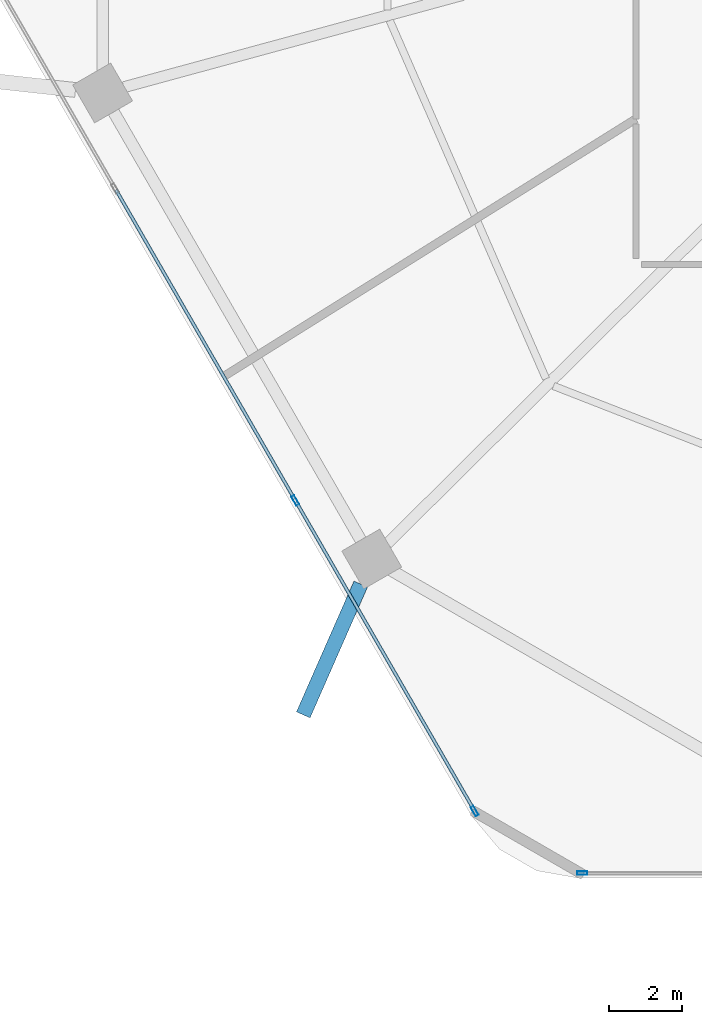
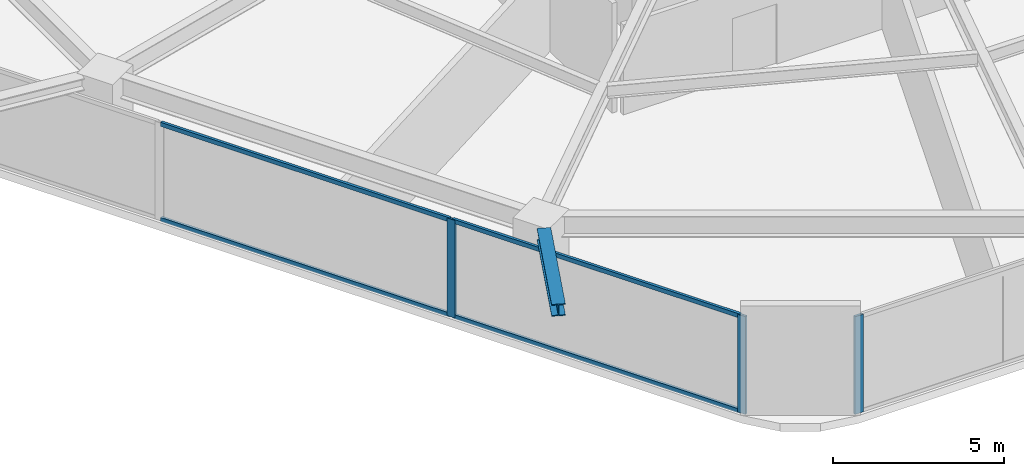
# One storey, part 2 of 25: 7 members, 1 beam, 2 elements without a shape of their own.
"""IFC4 building model written with IfcOpenShell, lengths in metres."""

import ifcopenshell
import ifcopenshell.guid

model = None  # the IFC model being written
_history = None  # IfcOwnerHistory: only IFC2X3 demands one
_inside = {}  # id of a spatial element -> (the spatial element, [elements in it])
_under = {}  # id of a project, library or spatial element -> (it, [spatial elements below it])
_declared = {}  # id of a project -> (the project, [libraries it declares])
_typed = {}  # id of a type object -> (the type object, [elements of that type])
_made_of = {}  # id of a material, layer set ... -> (it, [elements and type objects made of it])


def new_model(schema):
    """Start an empty IFC model of exactly this schema.

    Asked for "IFC4X3", IfcOpenShell would pick the latest addendum, in which some entities
    have other attributes; the version numbers below select the first issue.
    IFC2X3 requires an IfcOwnerHistory on every rooted entity: one is made here for all.
    """
    global model, _history
    if schema == "IFC4X3":
        model = ifcopenshell.file(schema_version=(4, 3, 0, 0))
    else:
        model = ifcopenshell.file(schema=schema)
    _inside.clear()
    _under.clear()
    _declared.clear()
    _typed.clear()
    _made_of.clear()
    _history = None
    if model.schema == "IFC2X3":
        org = make("IfcOrganization", Name="unknown")
        user = make(
            "IfcPersonAndOrganization",
            ThePerson=make("IfcPerson", FamilyName="unknown"),
            TheOrganization=org,
        )
        app = make(
            "IfcApplication",
            ApplicationDeveloper=org,
            Version="unknown",
            ApplicationFullName="unknown",
            ApplicationIdentifier="unknown",
        )
        _history = make(
            "IfcOwnerHistory",
            OwningUser=user,
            OwningApplication=app,
            ChangeAction="ADDED",
            CreationDate=0,
        )
    return model


def make(cls, **values):
    """One entity of the class cls with the attributes given. An attribute that is None is left unset."""
    return model.create_entity(
        cls, **{name: value for name, value in values.items() if value is not None}
    )


def rooted(cls, **values):
    """An entity with a GlobalId (a new one), such as an element, a storey or a relation."""
    return make(cls, GlobalId=ifcopenshell.guid.new(), OwnerHistory=_history, **values)


def si_unit(unit_type, name, prefix=None):
    """IfcSIUnit, for example si_unit("LENGTHUNIT", "METRE", prefix="MILLI")."""
    return make("IfcSIUnit", UnitType=unit_type, Prefix=prefix, Name=name)


def assignment(units):
    """IfcUnitAssignment: the units of a project."""
    return None if units is None else make("IfcUnitAssignment", Units=units)


def point(xyz):
    """IfcCartesianPoint."""
    return None if xyz is None else make("IfcCartesianPoint", Coordinates=xyz)


def direction(xyz):
    """IfcDirection."""
    return None if xyz is None else make("IfcDirection", DirectionRatios=xyz)


def frame(location, z_axis=None, x_axis=None):
    """IfcAxis2Placement3D, a coordinate frame: its origin and axes. An axis left out is left unset."""
    return make(
        "IfcAxis2Placement3D",
        Location=point(location),
        Axis=direction(z_axis),
        RefDirection=direction(x_axis),
    )


def frame_2d(location, x_axis=None):
    """IfcAxis2Placement2D, a coordinate frame in the plane: its origin and x axis."""
    return make(
        "IfcAxis2Placement2D", Location=point(location), RefDirection=direction(x_axis)
    )


def origin():
    """The frame at (0, 0, 0) with its axes left unset."""
    return frame((0.0, 0.0, 0.0))


def origin_2d():
    """The frame at (0, 0) in the plane with its x axis left unset."""
    return frame_2d((0.0, 0.0))


def place(relative_to, where):
    """IfcLocalPlacement: puts the frame where relative to a parent placement (None: the world)."""
    return make(
        "IfcLocalPlacement", PlacementRelTo=relative_to, RelativePlacement=where
    )


def context(
    kind, dimensions, precision=None, world=None, true_north=None, identifier=None
):
    """IfcGeometricRepresentationContext, for example the 3D "Model" context."""
    return make(
        "IfcGeometricRepresentationContext",
        ContextIdentifier=identifier,
        ContextType=kind,
        CoordinateSpaceDimension=dimensions,
        Precision=precision,
        WorldCoordinateSystem=world,
        TrueNorth=true_north,
    )


def subcontext(parent, identifier, kind, view, scale=None):
    """IfcGeometricRepresentationSubContext, for example "Body" below "Model"."""
    return make(
        "IfcGeometricRepresentationSubContext",
        ContextIdentifier=identifier,
        ContextType=kind,
        ParentContext=parent,
        TargetScale=scale,
        TargetView=view,
    )


def project(units=None, contexts=None):
    """IfcProject with its units and contexts."""
    return rooted(
        "IfcProject",
        Name="project",
        RepresentationContexts=contexts,
        UnitsInContext=assignment(units),
    )


def spatial(cls, under=None, at=None, **own):
    """A site, building, storey or space (cls), placed at a placement, below another one or the project."""
    s = rooted(cls, ObjectPlacement=at, **own)
    if under is not None:
        _under.setdefault(under.id(), (under, []))[1].append(s)
    return s


def profile(cls, at=None, kind="AREA", **sizes):
    """A parametric profile (cls). Its sizes go by their IFC names, for example OverallWidth=200.0."""
    return make(cls, ProfileType=kind, Position=at, **sizes)


def hollow_rectangle(**sizes):
    """IfcRectangleHollowProfileDef."""
    return profile("IfcRectangleHollowProfileDef", **sizes)


def i_section(**sizes):
    """IfcIShapeProfileDef."""
    return profile("IfcIShapeProfileDef", **sizes)


def extrude(swept, where, along, depth):
    """IfcExtrudedAreaSolid: the profile swept, set in the frame where, extruded along a direction by depth."""
    return make(
        "IfcExtrudedAreaSolid",
        SweptArea=swept,
        Position=where,
        ExtrudedDirection=direction(along),
        Depth=depth,
    )


def shape(context_of_items, identifier, shape_type, items):
    """IfcShapeRepresentation: the items that make up one representation, for example the "Body"."""
    return make(
        "IfcShapeRepresentation",
        ContextOfItems=context_of_items,
        RepresentationIdentifier=identifier,
        RepresentationType=shape_type,
        Items=items,
    )


def material(Name=None, Category=None):
    """IfcMaterial."""
    return make("IfcMaterial", Name=Name, Category=Category)


def material_profile(
    of_material, cross_section, Name=None, Category=None, Priority=None
):
    """IfcMaterialProfile: a cross section and its material."""
    return make(
        "IfcMaterialProfile",
        Name=Name,
        Material=of_material,
        Profile=cross_section,
        Priority=Priority,
        Category=Category,
    )


def profile_set(profiles, Name=None, composite=None):
    """IfcMaterialProfileSet."""
    return make(
        "IfcMaterialProfileSet",
        Name=Name,
        MaterialProfiles=profiles,
        CompositeProfile=composite,
    )


def made_of(thing, what):
    """Note that an element or type object is made of a material, layer set ...; save() writes the relation."""
    if what is not None:
        _made_of.setdefault(what.id(), (what, []))[1].append(thing)
    return thing


def type_object(cls, material=None, **own):
    """A type object (cls), such as IfcWallType, which elements share."""
    return made_of(rooted(cls, **own), material)


def element(
    cls,
    number,
    at=None,
    inside=None,
    cuts=None,
    type_object=None,
    material=None,
    context=None,
    identifier="Body",
    shape_type=None,
    held_by="IfcProductDefinitionShape",
    body=None,
    shapes=None,
    **own,
):
    """One element of the class cls, such as IfcWall. Its Tag is "e" and its number.

    at: its placement. inside: the storey or other place that contains it. cuts: it is an
    opening in that element (IfcRelVoidsElement). A single representation is given by context,
    identifier, shape_type and body (its items); several are given by shapes. held_by: the class
    of the entity that holds the representations. save() writes the other relations.
    """
    e = rooted(cls, Tag="e%d" % number, ObjectPlacement=at, **own)
    if body is not None:
        shapes = [shape(context, identifier, shape_type, body)]
    if shapes is not None:
        e.Representation = make(held_by, Representations=shapes)
    if inside is not None:
        _inside.setdefault(inside.id(), (inside, []))[1].append(e)
    if cuts is not None:
        rooted(
            "IfcRelVoidsElement", RelatingBuildingElement=cuts, RelatedOpeningElement=e
        )
    if type_object is not None:
        _typed.setdefault(type_object.id(), (type_object, []))[1].append(e)
    return made_of(e, material)


def aggregate(whole, parts):
    """IfcRelAggregates: a whole, such as a stair, and the parts it consists of."""
    return rooted("IfcRelAggregates", RelatingObject=whole, RelatedObjects=parts)


def save(model, path):
    """Write the relations noted so far, then the file.

    IfcRelAggregates (storeys below a building ...), IfcRelContainedInSpatialStructure (elements
    in a storey), IfcRelDefinesByType, IfcRelAssociatesMaterial and IfcRelDeclares: one each for
    every whole, place, type object, material and project.
    """
    for whole, parts in _under.values():
        aggregate(whole, parts)
    for where, things in _inside.values():
        rooted(
            "IfcRelContainedInSpatialStructure",
            RelatedElements=things,
            RelatingStructure=where,
        )
    for kind, things in _typed.values():
        rooted("IfcRelDefinesByType", RelatedObjects=things, RelatingType=kind)
    for what, things in _made_of.values():
        rooted("IfcRelAssociatesMaterial", RelatedObjects=things, RelatingMaterial=what)
    for by, libraries in _declared.values():
        rooted("IfcRelDeclares", RelatingContext=by, RelatedDefinitions=libraries)
    model.write(path)


model = new_model("IFC4")

# Units and contexts
model_context = context("Model", 3, precision=1e-05, world=origin(), true_north=direction((0.0, 1.0)))
body_context = subcontext(model_context, "Body", "Model", "MODEL_VIEW")
ifc_project = project(units=[si_unit("LENGTHUNIT", "METRE"), si_unit("AREAUNIT", "SQUARE_METRE"), si_unit("VOLUMEUNIT", "CUBIC_METRE"), si_unit("PLANEANGLEUNIT", "RADIAN"), si_unit("MASSUNIT", "GRAM", prefix="KILO")], contexts=[model_context])

# Site, building, storey
site_placement = place(None, origin())
site = spatial("IfcSite", under=ifc_project, at=site_placement, CompositionType="ELEMENT")
building_placement = place(site_placement, origin())
building = spatial("IfcBuilding", under=site, at=building_placement, Name="Zuhravey Tower", CompositionType="ELEMENT")
storey_placement = place(building_placement, frame((0.0, 0.0, 20.39990234375)))
storey = spatial("IfcBuildingStorey", under=building, at=storey_placement, Name="L05", CompositionType="ELEMENT", Elevation=20.39990234375)

# Curtain wall, member
ifc_material_1 = material(Name="Thermally broken anodised aluminium", Category="aluminium")
curtain_wall_type = type_object("IfcCurtainWallType", Name="School Low-E Unitised Curtain Wall CW1", PredefinedType="NOTDEFINED", material=ifc_material_1)
curtain_wall_1_placement = place(storey_placement, origin())
curtain_wall_1 = element("IfcCurtainWall", 1, at=curtain_wall_1_placement, inside=storey, type_object=curtain_wall_type, Name="L05 CW1 CW-L05-F5-1", PredefinedType="NOTDEFINED")
ifc_material_2 = material(Name="Anodised aluminium", Category="aluminium")
ifc_material_profile_1 = material_profile(ifc_material_2, hollow_rectangle(XDim=0.090087890625, YDim=0.284912109375, WallThickness=0.0048828125, at=origin_2d()), Name="ALU-RHS-90x285x5")
ifc_profile_set_1 = profile_set([ifc_material_profile_1], Name="Anodised aluminium")
member_type_1 = type_object("IfcMemberType", Name="Curtain-Wall Mullion 90x180", PredefinedType="MULLION", material=ifc_profile_set_1)
member_1_placement = place(storey_placement, frame((21.24560546875, 3.04150390625, 0.0), z_axis=(0.0, 0.0, 1.0), x_axis=(0.0, -1.0, 0.0)))
member_1 = element("IfcMember", 2, at=member_1_placement, type_object=member_type_1, Name="CW1 mullion 4", PredefinedType="MULLION", context=body_context, shape_type="SweptSolid", body=[
    extrude(hollow_rectangle(XDim=0.090087890625, YDim=0.284912109375, WallThickness=0.0048828125, at=origin_2d()), origin(), (0.0, 0.0, 1.0), 3.4921875),
])
aggregate(curtain_wall_1, [member_1])

# Curtain wall, members
curtain_wall_2_placement = place(storey_placement, origin())
curtain_wall_2 = element("IfcCurtainWall", 3, at=curtain_wall_2_placement, inside=storey, type_object=curtain_wall_type, Name="L05 CW1 CW-L05-F4-1", PredefinedType="NOTDEFINED")
member_2_placement = place(storey_placement, frame((18.298583984375, 4.742919921875, 0.0), z_axis=(0.0, 0.0, 1.0), x_axis=(-0.86602552265, -0.499999794119, 0.0)))
member_2 = element("IfcMember", 4, at=member_2_placement, type_object=member_type_1, Name="CW1 mullion 1", PredefinedType="MULLION", context=body_context, shape_type="SweptSolid", body=[
    extrude(hollow_rectangle(XDim=0.090087890625, YDim=0.284912109375, WallThickness=0.0048828125, at=origin_2d()), origin(), (0.0, 0.0, 1.0), 3.4921875),
])
member_3_placement = place(storey_placement, frame((13.387939453125, 13.24853515625, 0.0), z_axis=(0.0, 0.0, 1.0), x_axis=(-0.86602552265, -0.499999794119, 0.0)))
member_3 = element("IfcMember", 5, at=member_3_placement, type_object=member_type_1, Name="CW1 mullion 2", PredefinedType="MULLION", context=body_context, shape_type="SweptSolid", body=[
    extrude(hollow_rectangle(XDim=0.090087890625, YDim=0.284912109375, WallThickness=0.0048828125, at=origin_2d()), origin(), (0.0, 0.0, 1.0), 3.4921875),
])
ifc_material_profile_2 = material_profile(ifc_material_2, hollow_rectangle(XDim=0.090087890625, YDim=0.14990234375, WallThickness=0.0048828125, at=origin_2d()), Name="ALU-RHS-90x150x5")
ifc_profile_set_2 = profile_set([ifc_material_profile_2], Name="Anodised aluminium")
member_type_2 = type_object("IfcMemberType", Name="Curtain-Wall Transom 90x150", PredefinedType="USERDEFINED", material=ifc_profile_set_2)
member_4_placement = place(storey_placement, frame((18.27587890625, 4.781982421875, 0.045166015625), z_axis=(-0.499989576763, 0.86603142156, 0.0), x_axis=(-0.86603142156, -0.499989576763, 0.0)))
member_4 = element("IfcMember", 6, at=member_4_placement, type_object=member_type_2, Name="CW1 transom 1.1", ObjectType="TRANSOM", PredefinedType="USERDEFINED", context=body_context, shape_type="SweptSolid", body=[
    extrude(hollow_rectangle(XDim=0.090087890625, YDim=0.14990234375, WallThickness=0.0048828125, at=origin_2d()), origin(), (0.0, 0.0, 1.0), 9.731201171875),
])
member_5_placement = place(storey_placement, frame((18.27587890625, 4.781982421875, 3.447021484375), z_axis=(-0.499989576763, 0.86603142156, 0.0), x_axis=(-0.86603142156, -0.499989576763, 0.0)))
member_5 = element("IfcMember", 7, at=member_5_placement, type_object=member_type_2, Name="CW1 transom 1.2", ObjectType="TRANSOM", PredefinedType="USERDEFINED", context=body_context, shape_type="SweptSolid", body=[
    extrude(hollow_rectangle(XDim=0.090087890625, YDim=0.14990234375, WallThickness=0.0048828125, at=origin_2d()), origin(), (0.0, 0.0, 1.0), 9.731201171875),
])
member_6_placement = place(storey_placement, frame((13.365234375, 13.287353515625, 0.045166015625), z_axis=(-0.499990498062, 0.866030889661, 0.0), x_axis=(-0.866030889661, -0.499990498062, 0.0)))
member_6 = element("IfcMember", 8, at=member_6_placement, type_object=member_type_2, Name="CW1 transom 2.1", ObjectType="TRANSOM", PredefinedType="USERDEFINED", context=body_context, shape_type="SweptSolid", body=[
    extrude(hollow_rectangle(XDim=0.090087890625, YDim=0.14990234375, WallThickness=0.0048828125, at=origin_2d()), origin(), (0.0, 0.0, 1.0), 9.776611328125),
])
member_7_placement = place(storey_placement, frame((13.365234375, 13.287353515625, 3.447021484375), z_axis=(-0.499990498062, 0.866030889661, 0.0), x_axis=(-0.866030889661, -0.499990498062, 0.0)))
member_7 = element("IfcMember", 9, at=member_7_placement, type_object=member_type_2, Name="CW1 transom 2.2", ObjectType="TRANSOM", PredefinedType="USERDEFINED", context=body_context, shape_type="SweptSolid", body=[
    extrude(hollow_rectangle(XDim=0.090087890625, YDim=0.14990234375, WallThickness=0.0048828125, at=origin_2d()), origin(), (0.0, 0.0, 1.0), 9.776611328125),
])
aggregate(curtain_wall_2, [member_2, member_3, member_4, member_5, member_6, member_7])

# Beam
ifc_material_3 = material(Name="Steel SM460", Category="steel")
ifc_material_profile_3 = material_profile(ifc_material_3, i_section(OverallWidth=0.406982421875, OverallDepth=0.427978515625, WebThickness=0.02001953125, FlangeThickness=0.034912109375, at=origin_2d()), Name="H-428x407x20x35")
ifc_profile_set_3 = profile_set([ifc_material_profile_3], Name="Steel SM460")
beam_type = type_object("IfcBeamType", Name="Exoskeleton Node Tie Beam H428x407", PredefinedType="BEAM", material=ifc_profile_set_3)
beam_placement = place(storey_placement, frame((15.179931640625, 10.9580078125, 3.7060546875), z_axis=(-0.402366403128, -0.915478715009, 0.0), x_axis=(0.915478715009, -0.402366403128, 0.0)))
element("IfcBeam", 10, at=beam_placement, inside=storey, type_object=beam_type, Name="L05 Exoskeleton Node Tie NT1-08", PredefinedType="BEAM", context=body_context, shape_type="SweptSolid", body=[
    extrude(i_section(OverallWidth=0.406982421875, OverallDepth=0.427978515625, WebThickness=0.02001953125, FlangeThickness=0.034912109375, at=origin_2d()), origin(), (0.0, 0.0, 1.0), 3.9130859375),
])

save(model, "model.ifc")
